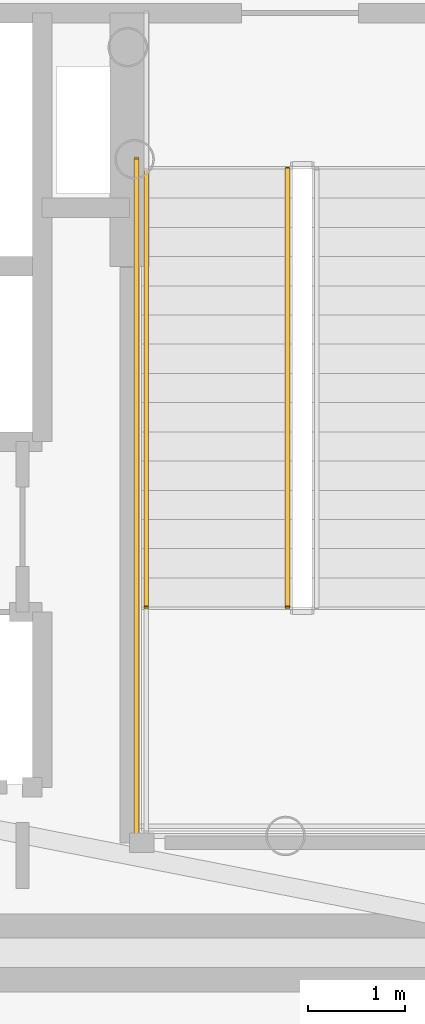
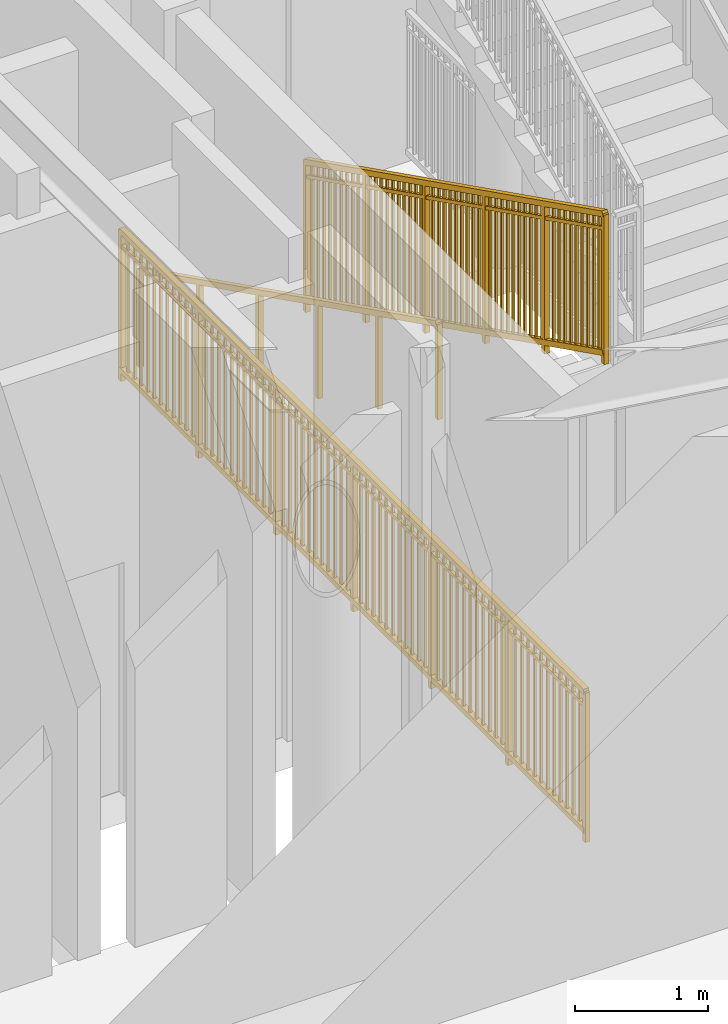
# One storey, part 17 of 19: 3 railings.
"""IFC4 building model written with IfcOpenShell, lengths in metres."""

from ifc_helpers import new_model, si_unit, direction, frame, origin, origin_2d, place, context, subcontext, project, spatial, rectangle, extrude, source, transform, mapped, material, type_object, element, save


model = new_model("IFC4")

# Units and contexts
model_context = context("Model", 3, precision=1e-05, world=origin(), true_north=direction((0.0, 1.0)))
body_context = subcontext(model_context, "Body", "Model", "MODEL_VIEW")
ifc_project = project(units=[si_unit("LENGTHUNIT", "METRE"), si_unit("AREAUNIT", "SQUARE_METRE"), si_unit("VOLUMEUNIT", "CUBIC_METRE"), si_unit("PLANEANGLEUNIT", "RADIAN"), si_unit("MASSUNIT", "GRAM", prefix="KILO")], contexts=[model_context])

# Site, building, storey
site_placement = place(None, origin())
site = spatial("IfcSite", under=ifc_project, at=site_placement, CompositionType="ELEMENT")
building_placement = place(site_placement, origin())
building = spatial("IfcBuilding", under=site, at=building_placement, Name="Linh Dai School and Residence Tower", CompositionType="ELEMENT")
storey_placement = place(building_placement, frame((0.0, 0.0, 92.39990234375)))
storey = spatial("IfcBuildingStorey", under=building, at=storey_placement, Name="L21", CompositionType="ELEMENT", Elevation=92.39990234375)

# Railings
ifc_material_1 = material(Name="Structural Steel S355JR", Category="steel")
railing_type_1 = type_object("IfcRailingType", Name="RL-ST-GUARD-1400", PredefinedType="GUARDRAIL", material=ifc_material_1)
shared_shape_1 = source(origin(), body_context, "Body", "SweptSolid", [
    extrude(rectangle(XDim=0.048095703125, YDim=0.048095703125, at=origin_2d()), frame((0.0, 0.0, 1.3759765625), z_axis=(0.0, -0.894427191, 0.4472135955), x_axis=(1.0, 0.0, 0.0)), (0.0, 0.0, 1.0), 5.03125),
    extrude(rectangle(XDim=0.048095703125, YDim=0.048095703125, at=origin_2d()), frame((0.0, 0.0, 0.10009765625), z_axis=(0.0, -0.894427191, 0.4472135955), x_axis=(1.0, 0.0, 0.0)), (0.0, 0.0, 1.0), 5.03125),
    extrude(rectangle(XDim=0.030029296875, YDim=0.030029296875, at=origin_2d()), frame((0.0, 0.0, 1.239990234375), z_axis=(0.0, -0.894427191, 0.4472135955), x_axis=(1.0, 0.0, 0.0)), (0.0, 0.0, 1.0), 5.03125),
    extrude(rectangle(XDim=0.02001953125, YDim=0.02001953125, at=origin_2d()), frame((0.0, -0.08642578125, 0.143310546875)), (0.0, 0.0, 1.0), 1.251708984375),
    extrude(rectangle(XDim=0.02001953125, YDim=0.02001953125, at=origin_2d()), frame((0.0, -0.173095703125, 0.1865234375)), (0.0, 0.0, 1.0), 1.251708984375),
    extrude(rectangle(XDim=0.02001953125, YDim=0.02001953125, at=origin_2d()), frame((0.0, -0.259521484375, 0.22998046875)), (0.0, 0.0, 1.0), 1.251708984375),
    extrude(rectangle(XDim=0.02001953125, YDim=0.02001953125, at=origin_2d()), frame((0.0, -0.34619140625, 0.273193359375)), (0.0, 0.0, 1.0), 1.251708984375),
    extrude(rectangle(XDim=0.02001953125, YDim=0.02001953125, at=origin_2d()), frame((0.0, -0.4326171875, 0.31640625)), (0.0, 0.0, 1.0), 1.251708984375),
    extrude(rectangle(XDim=0.02001953125, YDim=0.02001953125, at=origin_2d()), frame((0.0, -0.519287109375, 0.359619140625)), (0.0, 0.0, 1.0), 1.251708984375),
    extrude(rectangle(XDim=0.02001953125, YDim=0.02001953125, at=origin_2d()), frame((0.0, -0.605712890625, 0.403076171875)), (0.0, 0.0, 1.0), 1.251708984375),
    extrude(rectangle(XDim=0.02001953125, YDim=0.02001953125, at=origin_2d()), frame((0.0, -0.6923828125, 0.4462890625)), (0.0, 0.0, 1.0), 1.251708984375),
    extrude(rectangle(XDim=0.02001953125, YDim=0.02001953125, at=origin_2d()), frame((0.0, -0.77880859375, 0.489501953125)), (0.0, 0.0, 1.0), 1.251708984375),
    extrude(rectangle(XDim=0.02001953125, YDim=0.02001953125, at=origin_2d()), frame((0.0, -0.951904296875, 0.576171875)), (0.0, 0.0, 1.0), 1.251708984375),
    extrude(rectangle(XDim=0.02001953125, YDim=0.02001953125, at=origin_2d()), frame((0.0, -1.03857421875, 0.619384765625)), (0.0, 0.0, 1.0), 1.251708984375),
    extrude(rectangle(XDim=0.02001953125, YDim=0.02001953125, at=origin_2d()), frame((0.0, -1.125, 0.66259765625)), (0.0, 0.0, 1.0), 1.251708984375),
    extrude(rectangle(XDim=0.02001953125, YDim=0.02001953125, at=origin_2d()), frame((0.0, -1.21142578125, 0.705810546875)), (0.0, 0.0, 1.0), 1.251708984375),
    extrude(rectangle(XDim=0.02001953125, YDim=0.02001953125, at=origin_2d()), frame((0.0, -1.298095703125, 0.7490234375)), (0.0, 0.0, 1.0), 1.251708984375),
    extrude(rectangle(XDim=0.02001953125, YDim=0.02001953125, at=origin_2d()), frame((0.0, -1.384521484375, 0.79248046875)), (0.0, 0.0, 1.0), 1.251708984375),
    extrude(rectangle(XDim=0.02001953125, YDim=0.02001953125, at=origin_2d()), frame((0.0, -1.47119140625, 0.835693359375)), (0.0, 0.0, 1.0), 1.251708984375),
    extrude(rectangle(XDim=0.02001953125, YDim=0.02001953125, at=origin_2d()), frame((0.0, -1.5576171875, 0.87890625)), (0.0, 0.0, 1.0), 1.251708984375),
    extrude(rectangle(XDim=0.02001953125, YDim=0.02001953125, at=origin_2d()), frame((0.0, -1.644287109375, 0.922119140625)), (0.0, 0.0, 1.0), 1.251708984375),
    extrude(rectangle(XDim=0.02001953125, YDim=0.02001953125, at=origin_2d()), frame((0.0, -1.730712890625, 0.965576171875)), (0.0, 0.0, 1.0), 1.251708984375),
    extrude(rectangle(XDim=0.02001953125, YDim=0.02001953125, at=origin_2d()), frame((0.0, -1.90380859375, 1.052001953125)), (0.0, 0.0, 1.0), 1.251708984375),
    extrude(rectangle(XDim=0.02001953125, YDim=0.02001953125, at=origin_2d()), frame((0.0, -1.990478515625, 1.09521484375)), (0.0, 0.0, 1.0), 1.251708984375),
    extrude(rectangle(XDim=0.02001953125, YDim=0.02001953125, at=origin_2d()), frame((0.0, -2.076904296875, 1.138671875)), (0.0, 0.0, 1.0), 1.251708984375),
    extrude(rectangle(XDim=0.02001953125, YDim=0.02001953125, at=origin_2d()), frame((0.0, -2.16357421875, 1.181884765625)), (0.0, 0.0, 1.0), 1.251708984375),
    extrude(rectangle(XDim=0.02001953125, YDim=0.02001953125, at=origin_2d()), frame((0.0, -2.25, 1.22509765625)), (0.0, 0.0, 1.0), 1.251708984375),
    extrude(rectangle(XDim=0.02001953125, YDim=0.02001953125, at=origin_2d()), frame((0.0, -2.33642578125, 1.268310546875)), (0.0, 0.0, 1.0), 1.251708984375),
    extrude(rectangle(XDim=0.02001953125, YDim=0.02001953125, at=origin_2d()), frame((0.0, -2.423095703125, 1.3115234375)), (0.0, 0.0, 1.0), 1.251708984375),
    extrude(rectangle(XDim=0.02001953125, YDim=0.02001953125, at=origin_2d()), frame((0.0, -2.509521484375, 1.35498046875)), (0.0, 0.0, 1.0), 1.251708984375),
    extrude(rectangle(XDim=0.02001953125, YDim=0.02001953125, at=origin_2d()), frame((0.0, -2.59619140625, 1.398193359375)), (0.0, 0.0, 1.0), 1.251708984375),
    extrude(rectangle(XDim=0.02001953125, YDim=0.02001953125, at=origin_2d()), frame((0.0, -2.769287109375, 1.484619140625)), (0.0, 0.0, 1.0), 1.251708984375),
    extrude(rectangle(XDim=0.02001953125, YDim=0.02001953125, at=origin_2d()), frame((0.0, -2.855712890625, 1.528076171875)), (0.0, 0.0, 1.0), 1.251708984375),
    extrude(rectangle(XDim=0.02001953125, YDim=0.02001953125, at=origin_2d()), frame((0.0, -2.9423828125, 1.5712890625)), (0.0, 0.0, 1.0), 1.251708984375),
    extrude(rectangle(XDim=0.02001953125, YDim=0.02001953125, at=origin_2d()), frame((0.0, -3.02880859375, 1.614501953125)), (0.0, 0.0, 1.0), 1.251708984375),
    extrude(rectangle(XDim=0.02001953125, YDim=0.02001953125, at=origin_2d()), frame((0.0, -3.115478515625, 1.65771484375)), (0.0, 0.0, 1.0), 1.251708984375),
    extrude(rectangle(XDim=0.02001953125, YDim=0.02001953125, at=origin_2d()), frame((0.0, -3.201904296875, 1.701171875)), (0.0, 0.0, 1.0), 1.251708984375),
    extrude(rectangle(XDim=0.02001953125, YDim=0.02001953125, at=origin_2d()), frame((0.0, -3.28857421875, 1.744384765625)), (0.0, 0.0, 1.0), 1.251708984375),
    extrude(rectangle(XDim=0.02001953125, YDim=0.02001953125, at=origin_2d()), frame((0.0, -3.375, 1.78759765625)), (0.0, 0.0, 1.0), 1.251708984375),
    extrude(rectangle(XDim=0.02001953125, YDim=0.02001953125, at=origin_2d()), frame((0.0, -3.46142578125, 1.830810546875)), (0.0, 0.0, 1.0), 1.251708984375),
    extrude(rectangle(XDim=0.02001953125, YDim=0.02001953125, at=origin_2d()), frame((0.0, -3.548095703125, 1.8740234375)), (0.0, 0.0, 1.0), 1.251708984375),
    extrude(rectangle(XDim=0.02001953125, YDim=0.02001953125, at=origin_2d()), frame((0.0, -3.72119140625, 1.960693359375)), (0.0, 0.0, 1.0), 1.251708984375),
    extrude(rectangle(XDim=0.02001953125, YDim=0.02001953125, at=origin_2d()), frame((0.0, -3.8076171875, 2.00390625)), (0.0, 0.0, 1.0), 1.251708984375),
    extrude(rectangle(XDim=0.02001953125, YDim=0.02001953125, at=origin_2d()), frame((0.0, -3.894287109375, 2.047119140625)), (0.0, 0.0, 1.0), 1.251708984375),
    extrude(rectangle(XDim=0.02001953125, YDim=0.02001953125, at=origin_2d()), frame((0.0, -3.980712890625, 2.090576171875)), (0.0, 0.0, 1.0), 1.251708984375),
    extrude(rectangle(XDim=0.02001953125, YDim=0.02001953125, at=origin_2d()), frame((0.0, -4.0673828125, 2.1337890625)), (0.0, 0.0, 1.0), 1.251708984375),
    extrude(rectangle(XDim=0.02001953125, YDim=0.02001953125, at=origin_2d()), frame((0.0, -4.15380859375, 2.177001953125)), (0.0, 0.0, 1.0), 1.251708984375),
    extrude(rectangle(XDim=0.02001953125, YDim=0.02001953125, at=origin_2d()), frame((0.0, -4.240478515625, 2.22021484375)), (0.0, 0.0, 1.0), 1.251708984375),
    extrude(rectangle(XDim=0.02001953125, YDim=0.02001953125, at=origin_2d()), frame((0.0, -4.326904296875, 2.263671875)), (0.0, 0.0, 1.0), 1.251708984375),
    extrude(rectangle(XDim=0.02001953125, YDim=0.02001953125, at=origin_2d()), frame((0.0, -4.41357421875, 2.306884765625)), (0.0, 0.0, 1.0), 1.251708984375),
    extrude(rectangle(XDim=0.0419921875, YDim=0.0419921875, at=origin_2d()), origin(), (0.0, 0.0, 1.0), 1.3759765625),
    extrude(rectangle(XDim=0.0419921875, YDim=0.0419921875, at=origin_2d()), frame((0.0, -0.89990234375, 0.449951171875)), (0.0, 0.0, 1.0), 1.3759765625),
    extrude(rectangle(XDim=0.0419921875, YDim=0.0419921875, at=origin_2d()), frame((0.0, -1.800048828125, 0.89990234375)), (0.0, 0.0, 1.0), 1.3759765625),
    extrude(rectangle(XDim=0.0419921875, YDim=0.0419921875, at=origin_2d()), frame((0.0, -2.699951171875, 1.35009765625)), (0.0, 0.0, 1.0), 1.3759765625),
    extrude(rectangle(XDim=0.0419921875, YDim=0.0419921875, at=origin_2d()), frame((0.0, -3.60009765625, 1.800048828125)), (0.0, 0.0, 1.0), 1.3759765625),
    extrude(rectangle(XDim=0.0419921875, YDim=0.0419921875, at=origin_2d()), frame((0.0, -4.5, 2.25)), (0.0, 0.0, 1.0), 1.3759765625),
])
railing_1_placement = place(storey_placement, frame((42.52001953125, 28.25, 0.150146484375)))
element("IfcRailing", 1, at=railing_1_placement, inside=storey, type_object=railing_type_1, Name="L21 ST2 stair guard 1", PredefinedType="GUARDRAIL", context=body_context, shape_type="MappedRepresentation", body=[
    mapped(shared_shape_1, transform((0.0, 0.0, 0.0), x_axis=(1.0, 0.0, 0.0), y_axis=(0.0, 1.0, 0.0), z_axis=(0.0, 0.0, 1.0), scale=1.0)),
])
ifc_material_2 = material(Name="Brushed Stainless Steel Handrail", Category="steel")
railing_type_2 = type_object("IfcRailingType", Name="RL-ST-HANDRAIL-900", PredefinedType="HANDRAIL", material=ifc_material_2)
shared_shape_2 = source(origin(), body_context, "Body", "SweptSolid", [
    extrude(rectangle(XDim=0.048095703125, YDim=0.048095703125, at=origin_2d()), frame((0.0, 0.0, 0.8759765625), z_axis=(0.0, -0.894427191, 0.4472135955), x_axis=(1.0, 0.0, 0.0)), (0.0, 0.0, 1.0), 5.03125),
    extrude(rectangle(XDim=0.0419921875, YDim=0.0419921875, at=origin_2d()), origin(), (0.0, 0.0, 1.0), 0.8759765625),
    extrude(rectangle(XDim=0.0419921875, YDim=0.0419921875, at=origin_2d()), frame((0.0, -0.89990234375, 0.449951171875)), (0.0, 0.0, 1.0), 0.8759765625),
    extrude(rectangle(XDim=0.0419921875, YDim=0.0419921875, at=origin_2d()), frame((0.0, -1.800048828125, 0.89990234375)), (0.0, 0.0, 1.0), 0.8759765625),
    extrude(rectangle(XDim=0.0419921875, YDim=0.0419921875, at=origin_2d()), frame((0.0, -2.699951171875, 1.35009765625)), (0.0, 0.0, 1.0), 0.8759765625),
    extrude(rectangle(XDim=0.0419921875, YDim=0.0419921875, at=origin_2d()), frame((0.0, -3.60009765625, 1.800048828125)), (0.0, 0.0, 1.0), 0.8759765625),
    extrude(rectangle(XDim=0.0419921875, YDim=0.0419921875, at=origin_2d()), frame((0.0, -4.5, 2.25)), (0.0, 0.0, 1.0), 0.8759765625),
])
railing_2_placement = place(storey_placement, frame((41.070068359375, 28.25, 0.150146484375)))
element("IfcRailing", 2, at=railing_2_placement, inside=storey, type_object=railing_type_2, Name="L21 ST2 stair handrail 1", PredefinedType="HANDRAIL", context=body_context, shape_type="MappedRepresentation", body=[
    mapped(shared_shape_2, transform((0.0, 0.0, 0.0), x_axis=(1.0, 0.0, 0.0), y_axis=(0.0, 1.0, 0.0), z_axis=(0.0, 0.0, 1.0), scale=1.0)),
])
shared_shape_3 = source(origin(), body_context, "Body", "SweptSolid", [
    extrude(rectangle(XDim=0.048095703125, YDim=0.048095703125, at=origin_2d()), frame((0.0, 0.0, 1.3759765625), z_axis=(0.0, -1.0, 0.0), x_axis=(1.0, 0.0, 0.0)), (0.0, 0.0, 1.0), 7.0),
    extrude(rectangle(XDim=0.048095703125, YDim=0.048095703125, at=origin_2d()), frame((0.0, 0.0, 0.10009765625), z_axis=(0.0, -1.0, 0.0), x_axis=(1.0, 0.0, 0.0)), (0.0, 0.0, 1.0), 7.0),
    extrude(rectangle(XDim=0.030029296875, YDim=0.030029296875, at=origin_2d()), frame((0.0, 0.0, 1.239990234375), z_axis=(0.0, -1.0, 0.0), x_axis=(1.0, 0.0, 0.0)), (0.0, 0.0, 1.0), 7.0),
    extrude(rectangle(XDim=0.02001953125, YDim=0.02001953125, at=origin_2d()), frame((0.0, -0.09716796875, 0.10009765625)), (0.0, 0.0, 1.0), 1.251708984375),
    extrude(rectangle(XDim=0.02001953125, YDim=0.02001953125, at=origin_2d()), frame((0.0, -0.1943359375, 0.10009765625)), (0.0, 0.0, 1.0), 1.251708984375),
    extrude(rectangle(XDim=0.02001953125, YDim=0.02001953125, at=origin_2d()), frame((0.0, -0.291748046875, 0.10009765625)), (0.0, 0.0, 1.0), 1.251708984375),
    extrude(rectangle(XDim=0.02001953125, YDim=0.02001953125, at=origin_2d()), frame((0.0, -0.388916015625, 0.10009765625)), (0.0, 0.0, 1.0), 1.251708984375),
    extrude(rectangle(XDim=0.02001953125, YDim=0.02001953125, at=origin_2d()), frame((0.0, -0.486083984375, 0.10009765625)), (0.0, 0.0, 1.0), 1.251708984375),
    extrude(rectangle(XDim=0.02001953125, YDim=0.02001953125, at=origin_2d()), frame((0.0, -0.583251953125, 0.10009765625)), (0.0, 0.0, 1.0), 1.251708984375),
    extrude(rectangle(XDim=0.02001953125, YDim=0.02001953125, at=origin_2d()), frame((0.0, -0.6806640625, 0.10009765625)), (0.0, 0.0, 1.0), 1.251708984375),
    extrude(rectangle(XDim=0.02001953125, YDim=0.02001953125, at=origin_2d()), frame((0.0, -0.77783203125, 0.10009765625)), (0.0, 0.0, 1.0), 1.251708984375),
    extrude(rectangle(XDim=0.02001953125, YDim=0.02001953125, at=origin_2d()), frame((0.0, -0.875, 0.10009765625)), (0.0, 0.0, 1.0), 1.251708984375),
    extrude(rectangle(XDim=0.02001953125, YDim=0.02001953125, at=origin_2d()), frame((0.0, -0.97216796875, 0.10009765625)), (0.0, 0.0, 1.0), 1.251708984375),
    extrude(rectangle(XDim=0.02001953125, YDim=0.02001953125, at=origin_2d()), frame((0.0, -1.0693359375, 0.10009765625)), (0.0, 0.0, 1.0), 1.251708984375),
    extrude(rectangle(XDim=0.02001953125, YDim=0.02001953125, at=origin_2d()), frame((0.0, -1.263916015625, 0.10009765625)), (0.0, 0.0, 1.0), 1.251708984375),
    extrude(rectangle(XDim=0.02001953125, YDim=0.02001953125, at=origin_2d()), frame((0.0, -1.361083984375, 0.10009765625)), (0.0, 0.0, 1.0), 1.251708984375),
    extrude(rectangle(XDim=0.02001953125, YDim=0.02001953125, at=origin_2d()), frame((0.0, -1.458251953125, 0.10009765625)), (0.0, 0.0, 1.0), 1.251708984375),
    extrude(rectangle(XDim=0.02001953125, YDim=0.02001953125, at=origin_2d()), frame((0.0, -1.5556640625, 0.10009765625)), (0.0, 0.0, 1.0), 1.251708984375),
    extrude(rectangle(XDim=0.02001953125, YDim=0.02001953125, at=origin_2d()), frame((0.0, -1.65283203125, 0.10009765625)), (0.0, 0.0, 1.0), 1.251708984375),
    extrude(rectangle(XDim=0.02001953125, YDim=0.02001953125, at=origin_2d()), frame((0.0, -1.75, 0.10009765625)), (0.0, 0.0, 1.0), 1.251708984375),
    extrude(rectangle(XDim=0.02001953125, YDim=0.02001953125, at=origin_2d()), frame((0.0, -1.84716796875, 0.10009765625)), (0.0, 0.0, 1.0), 1.251708984375),
    extrude(rectangle(XDim=0.02001953125, YDim=0.02001953125, at=origin_2d()), frame((0.0, -1.9443359375, 0.10009765625)), (0.0, 0.0, 1.0), 1.251708984375),
    extrude(rectangle(XDim=0.02001953125, YDim=0.02001953125, at=origin_2d()), frame((0.0, -2.041748046875, 0.10009765625)), (0.0, 0.0, 1.0), 1.251708984375),
    extrude(rectangle(XDim=0.02001953125, YDim=0.02001953125, at=origin_2d()), frame((0.0, -2.138916015625, 0.10009765625)), (0.0, 0.0, 1.0), 1.251708984375),
    extrude(rectangle(XDim=0.02001953125, YDim=0.02001953125, at=origin_2d()), frame((0.0, -2.236083984375, 0.10009765625)), (0.0, 0.0, 1.0), 1.251708984375),
    extrude(rectangle(XDim=0.02001953125, YDim=0.02001953125, at=origin_2d()), frame((0.0, -2.4306640625, 0.10009765625)), (0.0, 0.0, 1.0), 1.251708984375),
    extrude(rectangle(XDim=0.02001953125, YDim=0.02001953125, at=origin_2d()), frame((0.0, -2.52783203125, 0.10009765625)), (0.0, 0.0, 1.0), 1.251708984375),
    extrude(rectangle(XDim=0.02001953125, YDim=0.02001953125, at=origin_2d()), frame((0.0, -2.625, 0.10009765625)), (0.0, 0.0, 1.0), 1.251708984375),
    extrude(rectangle(XDim=0.02001953125, YDim=0.02001953125, at=origin_2d()), frame((0.0, -2.72216796875, 0.10009765625)), (0.0, 0.0, 1.0), 1.251708984375),
    extrude(rectangle(XDim=0.02001953125, YDim=0.02001953125, at=origin_2d()), frame((0.0, -2.8193359375, 0.10009765625)), (0.0, 0.0, 1.0), 1.251708984375),
    extrude(rectangle(XDim=0.02001953125, YDim=0.02001953125, at=origin_2d()), frame((0.0, -2.916748046875, 0.10009765625)), (0.0, 0.0, 1.0), 1.251708984375),
    extrude(rectangle(XDim=0.02001953125, YDim=0.02001953125, at=origin_2d()), frame((0.0, -3.013916015625, 0.10009765625)), (0.0, 0.0, 1.0), 1.251708984375),
    extrude(rectangle(XDim=0.02001953125, YDim=0.02001953125, at=origin_2d()), frame((0.0, -3.111083984375, 0.10009765625)), (0.0, 0.0, 1.0), 1.251708984375),
    extrude(rectangle(XDim=0.02001953125, YDim=0.02001953125, at=origin_2d()), frame((0.0, -3.208251953125, 0.10009765625)), (0.0, 0.0, 1.0), 1.251708984375),
    extrude(rectangle(XDim=0.02001953125, YDim=0.02001953125, at=origin_2d()), frame((0.0, -3.3056640625, 0.10009765625)), (0.0, 0.0, 1.0), 1.251708984375),
    extrude(rectangle(XDim=0.02001953125, YDim=0.02001953125, at=origin_2d()), frame((0.0, -3.40283203125, 0.10009765625)), (0.0, 0.0, 1.0), 1.251708984375),
    extrude(rectangle(XDim=0.02001953125, YDim=0.02001953125, at=origin_2d()), frame((0.0, -3.59716796875, 0.10009765625)), (0.0, 0.0, 1.0), 1.251708984375),
    extrude(rectangle(XDim=0.02001953125, YDim=0.02001953125, at=origin_2d()), frame((0.0, -3.6943359375, 0.10009765625)), (0.0, 0.0, 1.0), 1.251708984375),
    extrude(rectangle(XDim=0.02001953125, YDim=0.02001953125, at=origin_2d()), frame((0.0, -3.791748046875, 0.10009765625)), (0.0, 0.0, 1.0), 1.251708984375),
    extrude(rectangle(XDim=0.02001953125, YDim=0.02001953125, at=origin_2d()), frame((0.0, -3.888916015625, 0.10009765625)), (0.0, 0.0, 1.0), 1.251708984375),
    extrude(rectangle(XDim=0.02001953125, YDim=0.02001953125, at=origin_2d()), frame((0.0, -3.986083984375, 0.10009765625)), (0.0, 0.0, 1.0), 1.251708984375),
    extrude(rectangle(XDim=0.02001953125, YDim=0.02001953125, at=origin_2d()), frame((0.0, -4.083251953125, 0.10009765625)), (0.0, 0.0, 1.0), 1.251708984375),
    extrude(rectangle(XDim=0.02001953125, YDim=0.02001953125, at=origin_2d()), frame((0.0, -4.1806640625, 0.10009765625)), (0.0, 0.0, 1.0), 1.251708984375),
    extrude(rectangle(XDim=0.02001953125, YDim=0.02001953125, at=origin_2d()), frame((0.0, -4.27783203125, 0.10009765625)), (0.0, 0.0, 1.0), 1.251708984375),
    extrude(rectangle(XDim=0.02001953125, YDim=0.02001953125, at=origin_2d()), frame((0.0, -4.375, 0.10009765625)), (0.0, 0.0, 1.0), 1.251708984375),
    extrude(rectangle(XDim=0.02001953125, YDim=0.02001953125, at=origin_2d()), frame((0.0, -4.47216796875, 0.10009765625)), (0.0, 0.0, 1.0), 1.251708984375),
    extrude(rectangle(XDim=0.02001953125, YDim=0.02001953125, at=origin_2d()), frame((0.0, -4.5693359375, 0.10009765625)), (0.0, 0.0, 1.0), 1.251708984375),
    extrude(rectangle(XDim=0.02001953125, YDim=0.02001953125, at=origin_2d()), frame((0.0, -4.763916015625, 0.10009765625)), (0.0, 0.0, 1.0), 1.251708984375),
    extrude(rectangle(XDim=0.02001953125, YDim=0.02001953125, at=origin_2d()), frame((0.0, -4.861083984375, 0.10009765625)), (0.0, 0.0, 1.0), 1.251708984375),
    extrude(rectangle(XDim=0.02001953125, YDim=0.02001953125, at=origin_2d()), frame((0.0, -4.958251953125, 0.10009765625)), (0.0, 0.0, 1.0), 1.251708984375),
    extrude(rectangle(XDim=0.02001953125, YDim=0.02001953125, at=origin_2d()), frame((0.0, -5.0556640625, 0.10009765625)), (0.0, 0.0, 1.0), 1.251708984375),
    extrude(rectangle(XDim=0.02001953125, YDim=0.02001953125, at=origin_2d()), frame((0.0, -5.15283203125, 0.10009765625)), (0.0, 0.0, 1.0), 1.251708984375),
    extrude(rectangle(XDim=0.02001953125, YDim=0.02001953125, at=origin_2d()), frame((0.0, -5.25, 0.10009765625)), (0.0, 0.0, 1.0), 1.251708984375),
    extrude(rectangle(XDim=0.02001953125, YDim=0.02001953125, at=origin_2d()), frame((0.0, -5.34716796875, 0.10009765625)), (0.0, 0.0, 1.0), 1.251708984375),
    extrude(rectangle(XDim=0.02001953125, YDim=0.02001953125, at=origin_2d()), frame((0.0, -5.4443359375, 0.10009765625)), (0.0, 0.0, 1.0), 1.251708984375),
    extrude(rectangle(XDim=0.02001953125, YDim=0.02001953125, at=origin_2d()), frame((0.0, -5.541748046875, 0.10009765625)), (0.0, 0.0, 1.0), 1.251708984375),
    extrude(rectangle(XDim=0.02001953125, YDim=0.02001953125, at=origin_2d()), frame((0.0, -5.638916015625, 0.10009765625)), (0.0, 0.0, 1.0), 1.251708984375),
    extrude(rectangle(XDim=0.02001953125, YDim=0.02001953125, at=origin_2d()), frame((0.0, -5.736083984375, 0.10009765625)), (0.0, 0.0, 1.0), 1.251708984375),
    extrude(rectangle(XDim=0.02001953125, YDim=0.02001953125, at=origin_2d()), frame((0.0, -5.9306640625, 0.10009765625)), (0.0, 0.0, 1.0), 1.251708984375),
    extrude(rectangle(XDim=0.02001953125, YDim=0.02001953125, at=origin_2d()), frame((0.0, -6.02783203125, 0.10009765625)), (0.0, 0.0, 1.0), 1.251708984375),
    extrude(rectangle(XDim=0.02001953125, YDim=0.02001953125, at=origin_2d()), frame((0.0, -6.125, 0.10009765625)), (0.0, 0.0, 1.0), 1.251708984375),
    extrude(rectangle(XDim=0.02001953125, YDim=0.02001953125, at=origin_2d()), frame((0.0, -6.22216796875, 0.10009765625)), (0.0, 0.0, 1.0), 1.251708984375),
    extrude(rectangle(XDim=0.02001953125, YDim=0.02001953125, at=origin_2d()), frame((0.0, -6.3193359375, 0.10009765625)), (0.0, 0.0, 1.0), 1.251708984375),
    extrude(rectangle(XDim=0.02001953125, YDim=0.02001953125, at=origin_2d()), frame((0.0, -6.416748046875, 0.10009765625)), (0.0, 0.0, 1.0), 1.251708984375),
    extrude(rectangle(XDim=0.02001953125, YDim=0.02001953125, at=origin_2d()), frame((0.0, -6.513916015625, 0.10009765625)), (0.0, 0.0, 1.0), 1.251708984375),
    extrude(rectangle(XDim=0.02001953125, YDim=0.02001953125, at=origin_2d()), frame((0.0, -6.611083984375, 0.10009765625)), (0.0, 0.0, 1.0), 1.251708984375),
    extrude(rectangle(XDim=0.02001953125, YDim=0.02001953125, at=origin_2d()), frame((0.0, -6.708251953125, 0.10009765625)), (0.0, 0.0, 1.0), 1.251708984375),
    extrude(rectangle(XDim=0.02001953125, YDim=0.02001953125, at=origin_2d()), frame((0.0, -6.8056640625, 0.10009765625)), (0.0, 0.0, 1.0), 1.251708984375),
    extrude(rectangle(XDim=0.02001953125, YDim=0.02001953125, at=origin_2d()), frame((0.0, -6.90283203125, 0.10009765625)), (0.0, 0.0, 1.0), 1.251708984375),
    extrude(rectangle(XDim=0.0419921875, YDim=0.0419921875, at=origin_2d()), origin(), (0.0, 0.0, 1.0), 1.3759765625),
    extrude(rectangle(XDim=0.0419921875, YDim=0.0419921875, at=origin_2d()), frame((0.0, -1.166748046875, 0.0)), (0.0, 0.0, 1.0), 1.3759765625),
    extrude(rectangle(XDim=0.0419921875, YDim=0.0419921875, at=origin_2d()), frame((0.0, -2.333251953125, 0.0)), (0.0, 0.0, 1.0), 1.3759765625),
    extrude(rectangle(XDim=0.0419921875, YDim=0.0419921875, at=origin_2d()), frame((0.0, -3.5, 0.0)), (0.0, 0.0, 1.0), 1.3759765625),
    extrude(rectangle(XDim=0.0419921875, YDim=0.0419921875, at=origin_2d()), frame((0.0, -4.666748046875, 0.0)), (0.0, 0.0, 1.0), 1.3759765625),
    extrude(rectangle(XDim=0.0419921875, YDim=0.0419921875, at=origin_2d()), frame((0.0, -5.833251953125, 0.0)), (0.0, 0.0, 1.0), 1.3759765625),
    extrude(rectangle(XDim=0.0419921875, YDim=0.0419921875, at=origin_2d()), frame((0.0, -7.0, 0.0)), (0.0, 0.0, 1.0), 1.3759765625),
])
railing_3_placement = place(storey_placement, frame((40.969970703125, 28.35009765625, 0.0)))
element("IfcRailing", 3, at=railing_3_placement, inside=storey, type_object=railing_type_1, Name="L21 ST2 stair guard 10", PredefinedType="GUARDRAIL", context=body_context, shape_type="MappedRepresentation", body=[
    mapped(shared_shape_3, transform((0.0, 0.0, 0.0), x_axis=(1.0, 0.0, 0.0), y_axis=(0.0, 1.0, 0.0), z_axis=(0.0, 0.0, 1.0), scale=1.0)),
])

save(model, "model.ifc")
